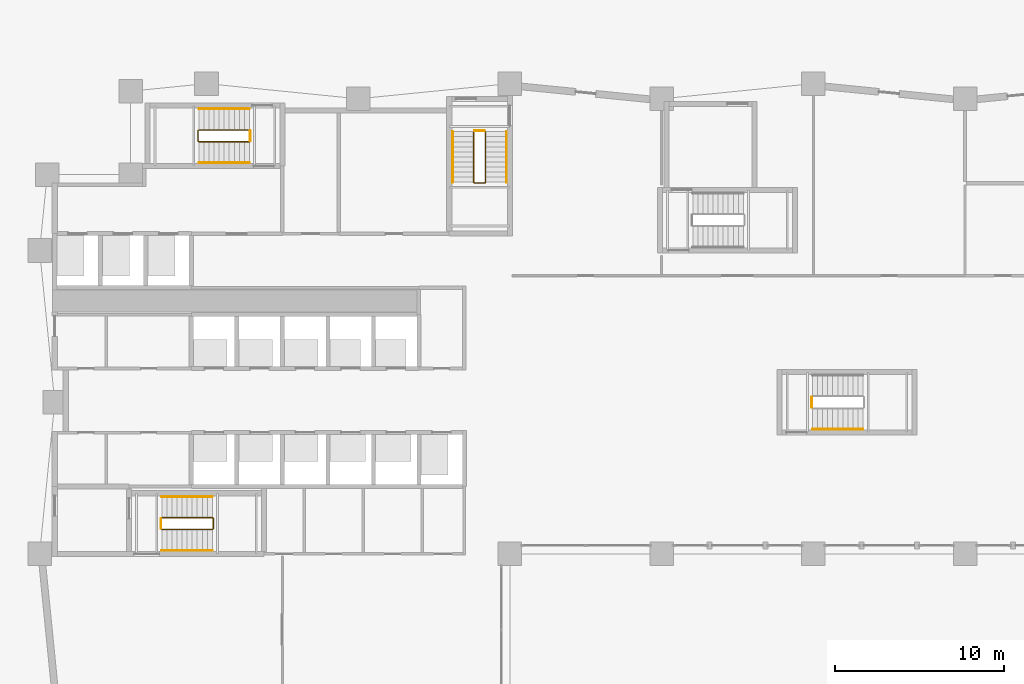
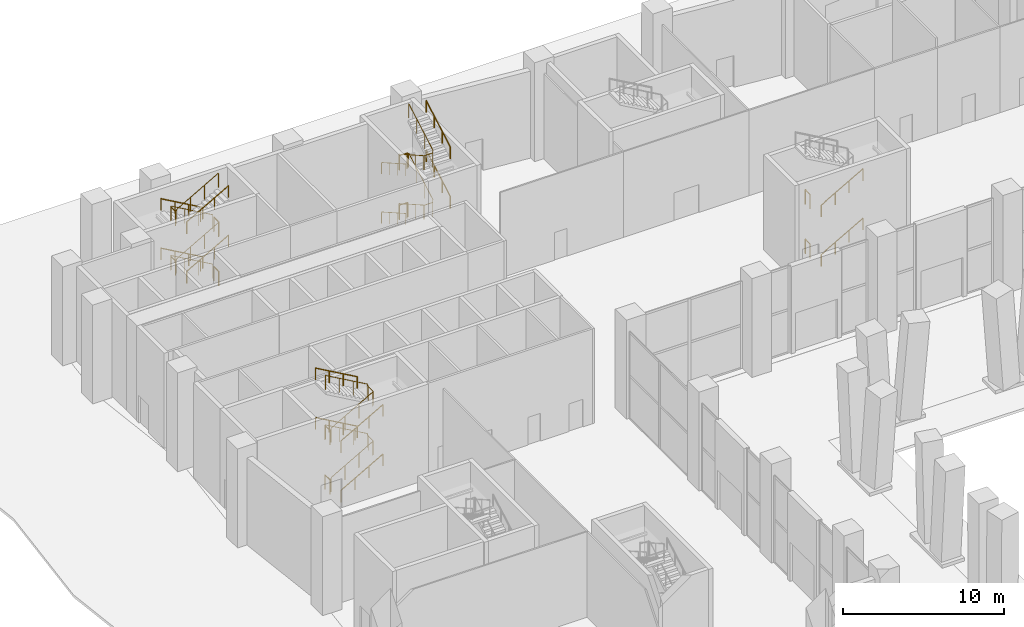
# One storey, part 14 of 16: 28 railings.
"""IFC4 building model written with IfcOpenShell, lengths in metres."""

from ifc_helpers import new_model, si_unit, direction, frame, origin, origin_2d, place, context, subcontext, project, spatial, circle, extrude, material, type_object, element, save


model = new_model("IFC4")

# Units and contexts
model_context = context("Model", 3, precision=1e-05, world=origin(), true_north=direction((0.0, 1.0)))
body_context = subcontext(model_context, "Body", "Model", "MODEL_VIEW")
ifc_project = project(units=[si_unit("LENGTHUNIT", "METRE"), si_unit("AREAUNIT", "SQUARE_METRE"), si_unit("VOLUMEUNIT", "CUBIC_METRE"), si_unit("PLANEANGLEUNIT", "RADIAN"), si_unit("MASSUNIT", "GRAM", prefix="KILO")], contexts=[model_context])

# Site, building, storey
site_placement = place(None, origin())
site = spatial("IfcSite", under=ifc_project, at=site_placement, CompositionType="ELEMENT")
building_placement = place(site_placement, origin())
building = spatial("IfcBuilding", under=site, at=building_placement, Name="Brondeck Convention Tower", CompositionType="ELEMENT")
storey_placement = place(building_placement, origin())
storey = spatial("IfcBuildingStorey", under=building, at=storey_placement, Name="L00", CompositionType="ELEMENT", Elevation=0.0)

# Railings
ifc_material = material(Name="Steel S355", Category="steel")
railing_type_1 = type_object("IfcRailingType", Name="Stair guard 1100", PredefinedType="GUARDRAIL", material=ifc_material)
railing_1_placement = place(storey_placement, frame((6.35009765625, 37.449951171875, 0.17041015625)))
element("IfcRailing", 1, at=railing_1_placement, inside=storey, type_object=railing_type_1, Name="L00 ST-1 stair guard 1", PredefinedType="GUARDRAIL", context=body_context, shape_type="SweptSolid", body=[
    extrude(circle(Radius=0.02392578125, at=origin_2d()), frame((0.0, 0.0, 1.076171875), z_axis=(0.869451031676, 0.0, 0.494019132744), x_axis=(0.0, 1.0, 0.0)), (0.0, 0.0, 1.0), 3.450439453125),
    extrude(circle(Radius=0.02392578125, at=origin_2d()), frame((3.0, 0.0, 2.78076171875), z_axis=(0.705375805398, 0.708833529934, 0.0), x_axis=(-0.708833529934, 0.705375805398, 0.0)), (0.0, 0.0, 1.0), 0.070556640625),
    extrude(circle(Radius=0.02392578125, at=origin_2d()), frame((3.0498046875, 0.050048828125, 2.78076171875), z_axis=(0.0, 1.0, 0.0), x_axis=(-1.0, 0.0, 0.0)), (0.0, 0.0, 1.0), 0.60009765625),
    extrude(circle(Radius=0.02392578125, at=origin_2d()), frame((3.0498046875, 0.650146484375, 2.78076171875), z_axis=(-0.27010131868, 0.27010131868, 0.924170198229), x_axis=(-0.707106781187, -0.707106781187, 0.0)), (0.0, 0.0, 1.0), 0.184326171875),
    extrude(circle(Radius=0.02392578125, at=origin_2d()), frame((3.0, 0.699951171875, 2.951171875), z_axis=(-0.869451031676, 0.0, 0.494019132744), x_axis=(0.0, -1.0, 0.0)), (0.0, 0.0, 1.0), 3.450439453125),
    extrude(circle(Radius=0.02099609375, at=origin_2d()), origin(), (0.0, 0.0, 1.0), 1.052001953125),
    extrude(circle(Radius=0.02099609375, at=origin_2d()), frame((1.0, 0.0, 0.568115234375)), (0.0, 0.0, 1.0), 1.052001953125),
    extrude(circle(Radius=0.02099609375, at=origin_2d()), frame((2.0, 0.0, 1.136474609375)), (0.0, 0.0, 1.0), 1.052001953125),
    extrude(circle(Radius=0.02099609375, at=origin_2d()), frame((3.0, 0.0, 1.70458984375)), (0.0, 0.0, 1.0), 1.052001953125),
    extrude(circle(Radius=0.02099609375, at=origin_2d()), frame((3.0498046875, 0.050048828125, 1.70458984375)), (0.0, 0.0, 1.0), 1.052001953125),
    extrude(circle(Radius=0.02099609375, at=origin_2d()), frame((3.0498046875, 0.650146484375, 1.70458984375)), (0.0, 0.0, 1.0), 1.052001953125),
    extrude(circle(Radius=0.02099609375, at=origin_2d()), frame((3.0, 0.699951171875, 1.875)), (0.0, 0.0, 1.0), 1.052001953125),
    extrude(circle(Radius=0.02099609375, at=origin_2d()), frame((2.0, 0.699951171875, 2.443115234375)), (0.0, 0.0, 1.0), 1.052001953125),
    extrude(circle(Radius=0.02099609375, at=origin_2d()), frame((1.0, 0.699951171875, 3.011474609375)), (0.0, 0.0, 1.0), 1.052001953125),
    extrude(circle(Radius=0.02099609375, at=origin_2d()), frame((0.0, 0.699951171875, 3.57958984375)), (0.0, 0.0, 1.0), 1.052001953125),
])
railing_2_placement = place(storey_placement, frame((6.300048828125, 37.5, 3.75)))
element("IfcRailing", 2, at=railing_2_placement, inside=storey, type_object=railing_type_1, Name="L00 ST-1 stair guard 2", PredefinedType="GUARDRAIL", context=body_context, shape_type="SweptSolid", body=[
    extrude(circle(Radius=0.02392578125, at=origin_2d()), frame((0.0, 0.0, 1.076171875), z_axis=(0.0, 1.0, 0.0), x_axis=(-1.0, 0.0, 0.0)), (0.0, 0.0, 1.0), 0.60009765625),
    extrude(circle(Radius=0.02099609375, at=origin_2d()), origin(), (0.0, 0.0, 1.0), 1.052001953125),
    extrude(circle(Radius=0.02099609375, at=origin_2d()), frame((0.0, 0.60009765625, 0.0)), (0.0, 0.0, 1.0), 1.052001953125),
])
railing_3_placement = place(storey_placement, frame((6.35009765625, 37.449951171875, 3.92041015625)))
element("IfcRailing", 3, at=railing_3_placement, inside=storey, type_object=railing_type_1, Name="L00 ST-1 stair guard 3", PredefinedType="GUARDRAIL", context=body_context, shape_type="SweptSolid", body=[
    extrude(circle(Radius=0.02392578125, at=origin_2d()), frame((0.0, 0.0, 1.076171875), z_axis=(0.869451031676, 0.0, 0.494019132744), x_axis=(0.0, 1.0, 0.0)), (0.0, 0.0, 1.0), 3.450439453125),
    extrude(circle(Radius=0.02392578125, at=origin_2d()), frame((3.0, 0.0, 2.78076171875), z_axis=(0.705375805398, 0.708833529934, 0.0), x_axis=(-0.708833529934, 0.705375805398, 0.0)), (0.0, 0.0, 1.0), 0.070556640625),
    extrude(circle(Radius=0.02392578125, at=origin_2d()), frame((3.0498046875, 0.050048828125, 2.78076171875), z_axis=(0.0, 1.0, 0.0), x_axis=(-1.0, 0.0, 0.0)), (0.0, 0.0, 1.0), 0.60009765625),
    extrude(circle(Radius=0.02392578125, at=origin_2d()), frame((3.0498046875, 0.650146484375, 2.78076171875), z_axis=(-0.27010131868, 0.27010131868, 0.924170198229), x_axis=(-0.707106781187, -0.707106781187, 0.0)), (0.0, 0.0, 1.0), 0.184326171875),
    extrude(circle(Radius=0.02392578125, at=origin_2d()), frame((3.0, 0.699951171875, 2.951171875), z_axis=(-0.869451031676, 0.0, 0.494019132744), x_axis=(0.0, -1.0, 0.0)), (0.0, 0.0, 1.0), 3.450439453125),
    extrude(circle(Radius=0.02099609375, at=origin_2d()), origin(), (0.0, 0.0, 1.0), 1.052001953125),
    extrude(circle(Radius=0.02099609375, at=origin_2d()), frame((1.0, 0.0, 0.568115234375)), (0.0, 0.0, 1.0), 1.052001953125),
    extrude(circle(Radius=0.02099609375, at=origin_2d()), frame((2.0, 0.0, 1.136474609375)), (0.0, 0.0, 1.0), 1.052001953125),
    extrude(circle(Radius=0.02099609375, at=origin_2d()), frame((3.0, 0.0, 1.70458984375)), (0.0, 0.0, 1.0), 1.052001953125),
    extrude(circle(Radius=0.02099609375, at=origin_2d()), frame((3.0498046875, 0.050048828125, 1.70458984375)), (0.0, 0.0, 1.0), 1.052001953125),
    extrude(circle(Radius=0.02099609375, at=origin_2d()), frame((3.0498046875, 0.650146484375, 1.70458984375)), (0.0, 0.0, 1.0), 1.052001953125),
    extrude(circle(Radius=0.02099609375, at=origin_2d()), frame((3.0, 0.699951171875, 1.875)), (0.0, 0.0, 1.0), 1.052001953125),
    extrude(circle(Radius=0.02099609375, at=origin_2d()), frame((2.0, 0.699951171875, 2.443115234375)), (0.0, 0.0, 1.0), 1.052001953125),
    extrude(circle(Radius=0.02099609375, at=origin_2d()), frame((1.0, 0.699951171875, 3.011474609375)), (0.0, 0.0, 1.0), 1.052001953125),
    extrude(circle(Radius=0.02099609375, at=origin_2d()), frame((0.0, 0.699951171875, 3.57958984375)), (0.0, 0.0, 1.0), 1.052001953125),
])
railing_4_placement = place(storey_placement, frame((6.300048828125, 37.5, 0.0)))
element("IfcRailing", 4, at=railing_4_placement, inside=storey, type_object=railing_type_1, Name="L00 ST-1 stair guard 4", PredefinedType="GUARDRAIL", context=body_context, shape_type="SweptSolid", body=[
    extrude(circle(Radius=0.02392578125, at=origin_2d()), frame((0.0, 0.0, 1.076171875), z_axis=(0.0, 1.0, 0.0), x_axis=(-1.0, 0.0, 0.0)), (0.0, 0.0, 1.0), 0.60009765625),
    extrude(circle(Radius=0.02099609375, at=origin_2d()), origin(), (0.0, 0.0, 1.0), 1.052001953125),
    extrude(circle(Radius=0.02099609375, at=origin_2d()), frame((0.0, 0.60009765625, 0.0)), (0.0, 0.0, 1.0), 1.052001953125),
])
railing_5_placement = place(storey_placement, frame((24.85009765625, 61.050048828125, 0.17041015625)))
element("IfcRailing", 5, at=railing_5_placement, inside=storey, type_object=railing_type_1, Name="L00 ST-2 stair guard 1", PredefinedType="GUARDRAIL", context=body_context, shape_type="SweptSolid", body=[
    extrude(circle(Radius=0.02392578125, at=origin_2d()), frame((0.0, 0.0, 1.076171875), z_axis=(0.0, -0.869451031676, 0.494019132744), x_axis=(1.0, 0.0, 0.0)), (0.0, 0.0, 1.0), 3.450439453125),
    extrude(circle(Radius=0.02392578125, at=origin_2d()), frame((0.0, -3.0, 2.78076171875), z_axis=(0.705375805398, -0.708833529934, 0.0), x_axis=(0.708833529934, 0.705375805398, 0.0)), (0.0, 0.0, 1.0), 0.070556640625),
    extrude(circle(Radius=0.02392578125, at=origin_2d()), frame((0.0498046875, -3.050048828125, 2.78076171875), z_axis=(1.0, 0.0, 0.0), x_axis=(0.0, 1.0, 0.0)), (0.0, 0.0, 1.0), 0.60009765625),
    extrude(circle(Radius=0.02392578125, at=origin_2d()), frame((0.64990234375, -3.050048828125, 2.78076171875), z_axis=(0.271230943075, 0.271230943075, 0.923508284228), x_axis=(-0.707106781187, 0.707106781187, 0.0)), (0.0, 0.0, 1.0), 0.1845703125),
    extrude(circle(Radius=0.02392578125, at=origin_2d()), frame((0.699951171875, -3.0, 2.951171875), z_axis=(0.0, 0.869451031676, 0.494019132744), x_axis=(-1.0, 0.0, 0.0)), (0.0, 0.0, 1.0), 3.450439453125),
    extrude(circle(Radius=0.02099609375, at=origin_2d()), origin(), (0.0, 0.0, 1.0), 1.052001953125),
    extrude(circle(Radius=0.02099609375, at=origin_2d()), frame((0.0, -1.0, 0.568115234375)), (0.0, 0.0, 1.0), 1.052001953125),
    extrude(circle(Radius=0.02099609375, at=origin_2d()), frame((0.0, -2.0, 1.136474609375)), (0.0, 0.0, 1.0), 1.052001953125),
    extrude(circle(Radius=0.02099609375, at=origin_2d()), frame((0.0, -3.0, 1.70458984375)), (0.0, 0.0, 1.0), 1.052001953125),
    extrude(circle(Radius=0.02099609375, at=origin_2d()), frame((0.0498046875, -3.050048828125, 1.70458984375)), (0.0, 0.0, 1.0), 1.052001953125),
    extrude(circle(Radius=0.02099609375, at=origin_2d()), frame((0.64990234375, -3.050048828125, 1.70458984375)), (0.0, 0.0, 1.0), 1.052001953125),
    extrude(circle(Radius=0.02099609375, at=origin_2d()), frame((0.699951171875, -3.0, 1.875)), (0.0, 0.0, 1.0), 1.052001953125),
    extrude(circle(Radius=0.02099609375, at=origin_2d()), frame((0.699951171875, -2.0, 2.443115234375)), (0.0, 0.0, 1.0), 1.052001953125),
    extrude(circle(Radius=0.02099609375, at=origin_2d()), frame((0.699951171875, -1.0, 3.011474609375)), (0.0, 0.0, 1.0), 1.052001953125),
    extrude(circle(Radius=0.02099609375, at=origin_2d()), frame((0.699951171875, 0.0, 3.57958984375)), (0.0, 0.0, 1.0), 1.052001953125),
])
railing_6_placement = place(storey_placement, frame((24.89990234375, 61.10009765625, 3.75)))
element("IfcRailing", 6, at=railing_6_placement, inside=storey, type_object=railing_type_1, Name="L00 ST-2 stair guard 2", PredefinedType="GUARDRAIL", context=body_context, shape_type="SweptSolid", body=[
    extrude(circle(Radius=0.02392578125, at=origin_2d()), frame((0.0, 0.0, 1.076171875), z_axis=(1.0, 0.0, 0.0), x_axis=(0.0, 1.0, 0.0)), (0.0, 0.0, 1.0), 0.60009765625),
    extrude(circle(Radius=0.02099609375, at=origin_2d()), origin(), (0.0, 0.0, 1.0), 1.052001953125),
    extrude(circle(Radius=0.02099609375, at=origin_2d()), frame((0.60009765625, 0.0, 0.0)), (0.0, 0.0, 1.0), 1.052001953125),
])
railing_7_placement = place(storey_placement, frame((24.85009765625, 61.050048828125, 3.92041015625)))
element("IfcRailing", 7, at=railing_7_placement, inside=storey, type_object=railing_type_1, Name="L00 ST-2 stair guard 3", PredefinedType="GUARDRAIL", context=body_context, shape_type="SweptSolid", body=[
    extrude(circle(Radius=0.02392578125, at=origin_2d()), frame((0.0, 0.0, 1.076171875), z_axis=(0.0, -0.869451031676, 0.494019132744), x_axis=(1.0, 0.0, 0.0)), (0.0, 0.0, 1.0), 3.450439453125),
    extrude(circle(Radius=0.02392578125, at=origin_2d()), frame((0.0, -3.0, 2.78076171875), z_axis=(0.705375805398, -0.708833529934, 0.0), x_axis=(0.708833529934, 0.705375805398, 0.0)), (0.0, 0.0, 1.0), 0.070556640625),
    extrude(circle(Radius=0.02392578125, at=origin_2d()), frame((0.0498046875, -3.050048828125, 2.78076171875), z_axis=(1.0, 0.0, 0.0), x_axis=(0.0, 1.0, 0.0)), (0.0, 0.0, 1.0), 0.60009765625),
    extrude(circle(Radius=0.02392578125, at=origin_2d()), frame((0.64990234375, -3.050048828125, 2.78076171875), z_axis=(0.271230943075, 0.271230943075, 0.923508284228), x_axis=(-0.707106781187, 0.707106781187, 0.0)), (0.0, 0.0, 1.0), 0.1845703125),
    extrude(circle(Radius=0.02392578125, at=origin_2d()), frame((0.699951171875, -3.0, 2.951171875), z_axis=(0.0, 0.869451031676, 0.494019132744), x_axis=(-1.0, 0.0, 0.0)), (0.0, 0.0, 1.0), 3.450439453125),
    extrude(circle(Radius=0.02099609375, at=origin_2d()), origin(), (0.0, 0.0, 1.0), 1.052001953125),
    extrude(circle(Radius=0.02099609375, at=origin_2d()), frame((0.0, -1.0, 0.568115234375)), (0.0, 0.0, 1.0), 1.052001953125),
    extrude(circle(Radius=0.02099609375, at=origin_2d()), frame((0.0, -2.0, 1.136474609375)), (0.0, 0.0, 1.0), 1.052001953125),
    extrude(circle(Radius=0.02099609375, at=origin_2d()), frame((0.0, -3.0, 1.70458984375)), (0.0, 0.0, 1.0), 1.052001953125),
    extrude(circle(Radius=0.02099609375, at=origin_2d()), frame((0.0498046875, -3.050048828125, 1.70458984375)), (0.0, 0.0, 1.0), 1.052001953125),
    extrude(circle(Radius=0.02099609375, at=origin_2d()), frame((0.64990234375, -3.050048828125, 1.70458984375)), (0.0, 0.0, 1.0), 1.052001953125),
    extrude(circle(Radius=0.02099609375, at=origin_2d()), frame((0.699951171875, -3.0, 1.875)), (0.0, 0.0, 1.0), 1.052001953125),
    extrude(circle(Radius=0.02099609375, at=origin_2d()), frame((0.699951171875, -2.0, 2.443115234375)), (0.0, 0.0, 1.0), 1.052001953125),
    extrude(circle(Radius=0.02099609375, at=origin_2d()), frame((0.699951171875, -1.0, 3.011474609375)), (0.0, 0.0, 1.0), 1.052001953125),
    extrude(circle(Radius=0.02099609375, at=origin_2d()), frame((0.699951171875, 0.0, 3.57958984375)), (0.0, 0.0, 1.0), 1.052001953125),
])
railing_8_placement = place(storey_placement, frame((24.89990234375, 61.10009765625, 0.0)))
element("IfcRailing", 8, at=railing_8_placement, inside=storey, type_object=railing_type_1, Name="L00 ST-2 stair guard 4", PredefinedType="GUARDRAIL", context=body_context, shape_type="SweptSolid", body=[
    extrude(circle(Radius=0.02392578125, at=origin_2d()), frame((0.0, 0.0, 1.076171875), z_axis=(1.0, 0.0, 0.0), x_axis=(0.0, 1.0, 0.0)), (0.0, 0.0, 1.0), 0.60009765625),
    extrude(circle(Radius=0.02099609375, at=origin_2d()), origin(), (0.0, 0.0, 1.0), 1.052001953125),
    extrude(circle(Radius=0.02099609375, at=origin_2d()), frame((0.60009765625, 0.0, 0.0)), (0.0, 0.0, 1.0), 1.052001953125),
])
railing_9_placement = place(storey_placement, frame((11.550048828125, 61.14990234375, 0.17041015625)))
element("IfcRailing", 9, at=railing_9_placement, inside=storey, type_object=railing_type_1, Name="L00 ST-3 stair guard 1", PredefinedType="GUARDRAIL", context=body_context, shape_type="SweptSolid", body=[
    extrude(circle(Radius=0.02392578125, at=origin_2d()), frame((0.0, 0.0, 1.076171875), z_axis=(-0.869451031676, 0.0, 0.494019132744), x_axis=(0.0, -1.0, 0.0)), (0.0, 0.0, 1.0), 3.450439453125),
    extrude(circle(Radius=0.02392578125, at=origin_2d()), frame((-3.0, 0.0, 2.78076171875), z_axis=(-0.708833529934, -0.705375805398, 0.0), x_axis=(0.705375805398, -0.708833529934, 0.0)), (0.0, 0.0, 1.0), 0.070556640625),
    extrude(circle(Radius=0.02392578125, at=origin_2d()), frame((-3.050048828125, -0.0498046875, 2.78076171875), z_axis=(0.0, -1.0, 0.0), x_axis=(1.0, 0.0, 0.0)), (0.0, 0.0, 1.0), 0.60009765625),
    extrude(circle(Radius=0.02392578125, at=origin_2d()), frame((-3.050048828125, -0.64990234375, 2.78076171875), z_axis=(0.271230943075, -0.271230943075, 0.923508284228), x_axis=(0.707106781187, 0.707106781187, 0.0)), (0.0, 0.0, 1.0), 0.1845703125),
    extrude(circle(Radius=0.02392578125, at=origin_2d()), frame((-3.0, -0.699951171875, 2.951171875), z_axis=(0.869451031676, 0.0, 0.494019132744), x_axis=(0.0, 1.0, 0.0)), (0.0, 0.0, 1.0), 3.450439453125),
    extrude(circle(Radius=0.02099609375, at=origin_2d()), origin(), (0.0, 0.0, 1.0), 1.052001953125),
    extrude(circle(Radius=0.02099609375, at=origin_2d()), frame((-1.0, 0.0, 0.568115234375)), (0.0, 0.0, 1.0), 1.052001953125),
    extrude(circle(Radius=0.02099609375, at=origin_2d()), frame((-2.0, 0.0, 1.136474609375)), (0.0, 0.0, 1.0), 1.052001953125),
    extrude(circle(Radius=0.02099609375, at=origin_2d()), frame((-3.0, 0.0, 1.70458984375)), (0.0, 0.0, 1.0), 1.052001953125),
    extrude(circle(Radius=0.02099609375, at=origin_2d()), frame((-3.050048828125, -0.0498046875, 1.70458984375)), (0.0, 0.0, 1.0), 1.052001953125),
    extrude(circle(Radius=0.02099609375, at=origin_2d()), frame((-3.050048828125, -0.64990234375, 1.70458984375)), (0.0, 0.0, 1.0), 1.052001953125),
    extrude(circle(Radius=0.02099609375, at=origin_2d()), frame((-3.0, -0.699951171875, 1.875)), (0.0, 0.0, 1.0), 1.052001953125),
    extrude(circle(Radius=0.02099609375, at=origin_2d()), frame((-2.0, -0.699951171875, 2.443115234375)), (0.0, 0.0, 1.0), 1.052001953125),
    extrude(circle(Radius=0.02099609375, at=origin_2d()), frame((-1.0, -0.699951171875, 3.011474609375)), (0.0, 0.0, 1.0), 1.052001953125),
    extrude(circle(Radius=0.02099609375, at=origin_2d()), frame((0.0, -0.699951171875, 3.57958984375)), (0.0, 0.0, 1.0), 1.052001953125),
])
railing_10_placement = place(storey_placement, frame((11.60009765625, 61.10009765625, 3.75)))
element("IfcRailing", 10, at=railing_10_placement, inside=storey, type_object=railing_type_1, Name="L00 ST-3 stair guard 2", PredefinedType="GUARDRAIL", context=body_context, shape_type="SweptSolid", body=[
    extrude(circle(Radius=0.02392578125, at=origin_2d()), frame((0.0, 0.0, 1.076171875), z_axis=(0.0, -1.0, 0.0), x_axis=(1.0, 0.0, 0.0)), (0.0, 0.0, 1.0), 0.60009765625),
    extrude(circle(Radius=0.02099609375, at=origin_2d()), origin(), (0.0, 0.0, 1.0), 1.052001953125),
    extrude(circle(Radius=0.02099609375, at=origin_2d()), frame((0.0, -0.60009765625, 0.0)), (0.0, 0.0, 1.0), 1.052001953125),
])
railing_11_placement = place(storey_placement, frame((11.550048828125, 61.14990234375, 3.92041015625)))
element("IfcRailing", 11, at=railing_11_placement, inside=storey, type_object=railing_type_1, Name="L00 ST-3 stair guard 3", PredefinedType="GUARDRAIL", context=body_context, shape_type="SweptSolid", body=[
    extrude(circle(Radius=0.02392578125, at=origin_2d()), frame((0.0, 0.0, 1.076171875), z_axis=(-0.869451031676, 0.0, 0.494019132744), x_axis=(0.0, -1.0, 0.0)), (0.0, 0.0, 1.0), 3.450439453125),
    extrude(circle(Radius=0.02392578125, at=origin_2d()), frame((-3.0, 0.0, 2.78076171875), z_axis=(-0.708833529934, -0.705375805398, 0.0), x_axis=(0.705375805398, -0.708833529934, 0.0)), (0.0, 0.0, 1.0), 0.070556640625),
    extrude(circle(Radius=0.02392578125, at=origin_2d()), frame((-3.050048828125, -0.0498046875, 2.78076171875), z_axis=(0.0, -1.0, 0.0), x_axis=(1.0, 0.0, 0.0)), (0.0, 0.0, 1.0), 0.60009765625),
    extrude(circle(Radius=0.02392578125, at=origin_2d()), frame((-3.050048828125, -0.64990234375, 2.78076171875), z_axis=(0.271230943075, -0.271230943075, 0.923508284228), x_axis=(0.707106781187, 0.707106781187, 0.0)), (0.0, 0.0, 1.0), 0.1845703125),
    extrude(circle(Radius=0.02392578125, at=origin_2d()), frame((-3.0, -0.699951171875, 2.951171875), z_axis=(0.869451031676, 0.0, 0.494019132744), x_axis=(0.0, 1.0, 0.0)), (0.0, 0.0, 1.0), 3.450439453125),
    extrude(circle(Radius=0.02099609375, at=origin_2d()), origin(), (0.0, 0.0, 1.0), 1.052001953125),
    extrude(circle(Radius=0.02099609375, at=origin_2d()), frame((-1.0, 0.0, 0.568115234375)), (0.0, 0.0, 1.0), 1.052001953125),
    extrude(circle(Radius=0.02099609375, at=origin_2d()), frame((-2.0, 0.0, 1.136474609375)), (0.0, 0.0, 1.0), 1.052001953125),
    extrude(circle(Radius=0.02099609375, at=origin_2d()), frame((-3.0, 0.0, 1.70458984375)), (0.0, 0.0, 1.0), 1.052001953125),
    extrude(circle(Radius=0.02099609375, at=origin_2d()), frame((-3.050048828125, -0.0498046875, 1.70458984375)), (0.0, 0.0, 1.0), 1.052001953125),
    extrude(circle(Radius=0.02099609375, at=origin_2d()), frame((-3.050048828125, -0.64990234375, 1.70458984375)), (0.0, 0.0, 1.0), 1.052001953125),
    extrude(circle(Radius=0.02099609375, at=origin_2d()), frame((-3.0, -0.699951171875, 1.875)), (0.0, 0.0, 1.0), 1.052001953125),
    extrude(circle(Radius=0.02099609375, at=origin_2d()), frame((-2.0, -0.699951171875, 2.443115234375)), (0.0, 0.0, 1.0), 1.052001953125),
    extrude(circle(Radius=0.02099609375, at=origin_2d()), frame((-1.0, -0.699951171875, 3.011474609375)), (0.0, 0.0, 1.0), 1.052001953125),
    extrude(circle(Radius=0.02099609375, at=origin_2d()), frame((0.0, -0.699951171875, 3.57958984375)), (0.0, 0.0, 1.0), 1.052001953125),
])
railing_12_placement = place(storey_placement, frame((11.60009765625, 61.10009765625, 0.0)))
element("IfcRailing", 12, at=railing_12_placement, inside=storey, type_object=railing_type_1, Name="L00 ST-3 stair guard 4", PredefinedType="GUARDRAIL", context=body_context, shape_type="SweptSolid", body=[
    extrude(circle(Radius=0.02392578125, at=origin_2d()), frame((0.0, 0.0, 1.076171875), z_axis=(0.0, -1.0, 0.0), x_axis=(1.0, 0.0, 0.0)), (0.0, 0.0, 1.0), 0.60009765625),
    extrude(circle(Radius=0.02099609375, at=origin_2d()), origin(), (0.0, 0.0, 1.0), 1.052001953125),
    extrude(circle(Radius=0.02099609375, at=origin_2d()), frame((0.0, -0.60009765625, 0.0)), (0.0, 0.0, 1.0), 1.052001953125),
])
for number, where, name in (
    (13, (44.89990234375, 44.699951171875, 3.75), "L00 ST-AF stair guard 2"),
    (14, (44.89990234375, 44.699951171875, 0.0), "L00 ST-AF stair guard 4"),
):
    element("IfcRailing", number, at=place(storey_placement, frame(where)), inside=storey, type_object=railing_type_1, Name=name, PredefinedType="GUARDRAIL", context=body_context, shape_type="SweptSolid", body=[
        extrude(circle(Radius=0.02392578125, at=origin_2d()), frame((0.0, 0.0, 1.076171875), z_axis=(0.0, 1.0, 0.0), x_axis=(-1.0, 0.0, 0.0)), (0.0, 0.0, 1.0), 0.60009765625),
        extrude(circle(Radius=0.02099609375, at=origin_2d()), origin(), (0.0, 0.0, 1.0), 1.052001953125),
        extrude(circle(Radius=0.02099609375, at=origin_2d()), frame((0.0, 0.60009765625, 0.0)), (0.0, 0.0, 1.0), 1.052001953125),
    ])
railing_type_2 = type_object("IfcRailingType", Name="Stair handrail", PredefinedType="HANDRAIL", material=ifc_material)
railing_13_placement = place(storey_placement, frame((6.35009765625, 36.199951171875, 0.17041015625)))
element("IfcRailing", 15, at=railing_13_placement, inside=storey, type_object=railing_type_2, Name="L00 ST-1 stair handrail 1", PredefinedType="HANDRAIL", context=body_context, shape_type="SweptSolid", body=[
    extrude(circle(Radius=0.02392578125, at=origin_2d()), frame((0.0, 0.0, 0.8759765625), z_axis=(0.869451031676, 0.0, 0.494019132744), x_axis=(0.0, 1.0, 0.0)), (0.0, 0.0, 1.0), 3.450439453125),
    extrude(circle(Radius=0.02099609375, at=origin_2d()), origin(), (0.0, 0.0, 1.0), 0.851806640625),
    extrude(circle(Radius=0.02099609375, at=origin_2d()), frame((1.0, 0.0, 0.568115234375)), (0.0, 0.0, 1.0), 0.851806640625),
    extrude(circle(Radius=0.02099609375, at=origin_2d()), frame((2.0, 0.0, 1.136474609375)), (0.0, 0.0, 1.0), 0.851806640625),
    extrude(circle(Radius=0.02099609375, at=origin_2d()), frame((3.0, 0.0, 1.70458984375)), (0.0, 0.0, 1.0), 0.851806640625),
])
railing_14_placement = place(storey_placement, frame((9.35009765625, 39.39990234375, 2.04541015625)))
element("IfcRailing", 16, at=railing_14_placement, inside=storey, type_object=railing_type_2, Name="L00 ST-1 stair handrail 2", PredefinedType="HANDRAIL", context=body_context, shape_type="SweptSolid", body=[
    extrude(circle(Radius=0.02392578125, at=origin_2d()), frame((0.0, 0.0, 0.8759765625), z_axis=(-0.869451031676, 0.0, 0.494019132744), x_axis=(0.0, -1.0, 0.0)), (0.0, 0.0, 1.0), 3.450439453125),
    extrude(circle(Radius=0.02099609375, at=origin_2d()), origin(), (0.0, 0.0, 1.0), 0.851806640625),
    extrude(circle(Radius=0.02099609375, at=origin_2d()), frame((-1.0, 0.0, 0.568115234375)), (0.0, 0.0, 1.0), 0.851806640625),
    extrude(circle(Radius=0.02099609375, at=origin_2d()), frame((-2.0, 0.0, 1.136474609375)), (0.0, 0.0, 1.0), 0.851806640625),
    extrude(circle(Radius=0.02099609375, at=origin_2d()), frame((-3.0, 0.0, 1.70458984375)), (0.0, 0.0, 1.0), 0.851806640625),
])
railing_15_placement = place(storey_placement, frame((6.35009765625, 36.199951171875, 3.92041015625)))
element("IfcRailing", 17, at=railing_15_placement, inside=storey, type_object=railing_type_2, Name="L00 ST-1 stair handrail 3", PredefinedType="HANDRAIL", context=body_context, shape_type="SweptSolid", body=[
    extrude(circle(Radius=0.02392578125, at=origin_2d()), frame((0.0, 0.0, 0.8759765625), z_axis=(0.869451031676, 0.0, 0.494019132744), x_axis=(0.0, 1.0, 0.0)), (0.0, 0.0, 1.0), 3.450439453125),
    extrude(circle(Radius=0.02099609375, at=origin_2d()), origin(), (0.0, 0.0, 1.0), 0.851806640625),
    extrude(circle(Radius=0.02099609375, at=origin_2d()), frame((1.0, 0.0, 0.568115234375)), (0.0, 0.0, 1.0), 0.851806640625),
    extrude(circle(Radius=0.02099609375, at=origin_2d()), frame((2.0, 0.0, 1.136474609375)), (0.0, 0.0, 1.0), 0.851806640625),
    extrude(circle(Radius=0.02099609375, at=origin_2d()), frame((3.0, 0.0, 1.70458984375)), (0.0, 0.0, 1.0), 0.851806640625),
])
railing_16_placement = place(storey_placement, frame((9.35009765625, 39.39990234375, 5.79541015625)))
element("IfcRailing", 18, at=railing_16_placement, inside=storey, type_object=railing_type_2, Name="L00 ST-1 stair handrail 4", PredefinedType="HANDRAIL", context=body_context, shape_type="SweptSolid", body=[
    extrude(circle(Radius=0.02392578125, at=origin_2d()), frame((0.0, 0.0, 0.8759765625), z_axis=(-0.869451031676, 0.0, 0.494019132744), x_axis=(0.0, -1.0, 0.0)), (0.0, 0.0, 1.0), 3.450439453125),
    extrude(circle(Radius=0.02099609375, at=origin_2d()), origin(), (0.0, 0.0, 1.0), 0.851806640625),
    extrude(circle(Radius=0.02099609375, at=origin_2d()), frame((-1.0, 0.0, 0.568115234375)), (0.0, 0.0, 1.0), 0.851806640625),
    extrude(circle(Radius=0.02099609375, at=origin_2d()), frame((-2.0, 0.0, 1.136474609375)), (0.0, 0.0, 1.0), 0.851806640625),
    extrude(circle(Radius=0.02099609375, at=origin_2d()), frame((-3.0, 0.0, 1.70458984375)), (0.0, 0.0, 1.0), 0.851806640625),
])
railing_17_placement = place(storey_placement, frame((23.60009765625, 61.050048828125, 0.17041015625)))
element("IfcRailing", 19, at=railing_17_placement, inside=storey, type_object=railing_type_2, Name="L00 ST-2 stair handrail 1", PredefinedType="HANDRAIL", context=body_context, shape_type="SweptSolid", body=[
    extrude(circle(Radius=0.02392578125, at=origin_2d()), frame((0.0, 0.0, 0.8759765625), z_axis=(0.0, -0.869451031676, 0.494019132744), x_axis=(1.0, 0.0, 0.0)), (0.0, 0.0, 1.0), 3.450439453125),
    extrude(circle(Radius=0.02099609375, at=origin_2d()), origin(), (0.0, 0.0, 1.0), 0.851806640625),
    extrude(circle(Radius=0.02099609375, at=origin_2d()), frame((0.0, -1.0, 0.568115234375)), (0.0, 0.0, 1.0), 0.851806640625),
    extrude(circle(Radius=0.02099609375, at=origin_2d()), frame((0.0, -2.0, 1.136474609375)), (0.0, 0.0, 1.0), 0.851806640625),
    extrude(circle(Radius=0.02099609375, at=origin_2d()), frame((0.0, -3.0, 1.70458984375)), (0.0, 0.0, 1.0), 0.851806640625),
])
railing_18_placement = place(storey_placement, frame((26.800048828125, 58.050048828125, 2.04541015625)))
element("IfcRailing", 20, at=railing_18_placement, inside=storey, type_object=railing_type_2, Name="L00 ST-2 stair handrail 2", PredefinedType="HANDRAIL", context=body_context, shape_type="SweptSolid", body=[
    extrude(circle(Radius=0.02392578125, at=origin_2d()), frame((0.0, 0.0, 0.8759765625), z_axis=(0.0, 0.869451031676, 0.494019132744), x_axis=(-1.0, 0.0, 0.0)), (0.0, 0.0, 1.0), 3.450439453125),
    extrude(circle(Radius=0.02099609375, at=origin_2d()), origin(), (0.0, 0.0, 1.0), 0.851806640625),
    extrude(circle(Radius=0.02099609375, at=origin_2d()), frame((0.0, 1.0, 0.568115234375)), (0.0, 0.0, 1.0), 0.851806640625),
    extrude(circle(Radius=0.02099609375, at=origin_2d()), frame((0.0, 2.0, 1.136474609375)), (0.0, 0.0, 1.0), 0.851806640625),
    extrude(circle(Radius=0.02099609375, at=origin_2d()), frame((0.0, 3.0, 1.70458984375)), (0.0, 0.0, 1.0), 0.851806640625),
])
railing_19_placement = place(storey_placement, frame((23.60009765625, 61.050048828125, 3.92041015625)))
element("IfcRailing", 21, at=railing_19_placement, inside=storey, type_object=railing_type_2, Name="L00 ST-2 stair handrail 3", PredefinedType="HANDRAIL", context=body_context, shape_type="SweptSolid", body=[
    extrude(circle(Radius=0.02392578125, at=origin_2d()), frame((0.0, 0.0, 0.8759765625), z_axis=(0.0, -0.869451031676, 0.494019132744), x_axis=(1.0, 0.0, 0.0)), (0.0, 0.0, 1.0), 3.450439453125),
    extrude(circle(Radius=0.02099609375, at=origin_2d()), origin(), (0.0, 0.0, 1.0), 0.851806640625),
    extrude(circle(Radius=0.02099609375, at=origin_2d()), frame((0.0, -1.0, 0.568115234375)), (0.0, 0.0, 1.0), 0.851806640625),
    extrude(circle(Radius=0.02099609375, at=origin_2d()), frame((0.0, -2.0, 1.136474609375)), (0.0, 0.0, 1.0), 0.851806640625),
    extrude(circle(Radius=0.02099609375, at=origin_2d()), frame((0.0, -3.0, 1.70458984375)), (0.0, 0.0, 1.0), 0.851806640625),
])
railing_20_placement = place(storey_placement, frame((26.800048828125, 58.050048828125, 5.79541015625)))
element("IfcRailing", 22, at=railing_20_placement, inside=storey, type_object=railing_type_2, Name="L00 ST-2 stair handrail 4", PredefinedType="HANDRAIL", context=body_context, shape_type="SweptSolid", body=[
    extrude(circle(Radius=0.02392578125, at=origin_2d()), frame((0.0, 0.0, 0.8759765625), z_axis=(0.0, 0.869451031676, 0.494019132744), x_axis=(-1.0, 0.0, 0.0)), (0.0, 0.0, 1.0), 3.450439453125),
    extrude(circle(Radius=0.02099609375, at=origin_2d()), origin(), (0.0, 0.0, 1.0), 0.851806640625),
    extrude(circle(Radius=0.02099609375, at=origin_2d()), frame((0.0, 1.0, 0.568115234375)), (0.0, 0.0, 1.0), 0.851806640625),
    extrude(circle(Radius=0.02099609375, at=origin_2d()), frame((0.0, 2.0, 1.136474609375)), (0.0, 0.0, 1.0), 0.851806640625),
    extrude(circle(Radius=0.02099609375, at=origin_2d()), frame((0.0, 3.0, 1.70458984375)), (0.0, 0.0, 1.0), 0.851806640625),
])
railing_21_placement = place(storey_placement, frame((11.550048828125, 62.39990234375, 0.17041015625)))
element("IfcRailing", 23, at=railing_21_placement, inside=storey, type_object=railing_type_2, Name="L00 ST-3 stair handrail 1", PredefinedType="HANDRAIL", context=body_context, shape_type="SweptSolid", body=[
    extrude(circle(Radius=0.02392578125, at=origin_2d()), frame((0.0, 0.0, 0.8759765625), z_axis=(-0.869451031676, 0.0, 0.494019132744), x_axis=(0.0, -1.0, 0.0)), (0.0, 0.0, 1.0), 3.450439453125),
    extrude(circle(Radius=0.02099609375, at=origin_2d()), origin(), (0.0, 0.0, 1.0), 0.851806640625),
    extrude(circle(Radius=0.02099609375, at=origin_2d()), frame((-1.0, 0.0, 0.568115234375)), (0.0, 0.0, 1.0), 0.851806640625),
    extrude(circle(Radius=0.02099609375, at=origin_2d()), frame((-2.0, 0.0, 1.136474609375)), (0.0, 0.0, 1.0), 0.851806640625),
    extrude(circle(Radius=0.02099609375, at=origin_2d()), frame((-3.0, 0.0, 1.70458984375)), (0.0, 0.0, 1.0), 0.851806640625),
])
railing_22_placement = place(storey_placement, frame((8.550048828125, 59.199951171875, 2.04541015625)))
element("IfcRailing", 24, at=railing_22_placement, inside=storey, type_object=railing_type_2, Name="L00 ST-3 stair handrail 2", PredefinedType="HANDRAIL", context=body_context, shape_type="SweptSolid", body=[
    extrude(circle(Radius=0.02392578125, at=origin_2d()), frame((0.0, 0.0, 0.8759765625), z_axis=(0.869451031676, 0.0, 0.494019132744), x_axis=(0.0, 1.0, 0.0)), (0.0, 0.0, 1.0), 3.450439453125),
    extrude(circle(Radius=0.02099609375, at=origin_2d()), origin(), (0.0, 0.0, 1.0), 0.851806640625),
    extrude(circle(Radius=0.02099609375, at=origin_2d()), frame((1.0, 0.0, 0.568115234375)), (0.0, 0.0, 1.0), 0.851806640625),
    extrude(circle(Radius=0.02099609375, at=origin_2d()), frame((2.0, 0.0, 1.136474609375)), (0.0, 0.0, 1.0), 0.851806640625),
    extrude(circle(Radius=0.02099609375, at=origin_2d()), frame((3.0, 0.0, 1.70458984375)), (0.0, 0.0, 1.0), 0.851806640625),
])
railing_23_placement = place(storey_placement, frame((11.550048828125, 62.39990234375, 3.92041015625)))
element("IfcRailing", 25, at=railing_23_placement, inside=storey, type_object=railing_type_2, Name="L00 ST-3 stair handrail 3", PredefinedType="HANDRAIL", context=body_context, shape_type="SweptSolid", body=[
    extrude(circle(Radius=0.02392578125, at=origin_2d()), frame((0.0, 0.0, 0.8759765625), z_axis=(-0.869451031676, 0.0, 0.494019132744), x_axis=(0.0, -1.0, 0.0)), (0.0, 0.0, 1.0), 3.450439453125),
    extrude(circle(Radius=0.02099609375, at=origin_2d()), origin(), (0.0, 0.0, 1.0), 0.851806640625),
    extrude(circle(Radius=0.02099609375, at=origin_2d()), frame((-1.0, 0.0, 0.568115234375)), (0.0, 0.0, 1.0), 0.851806640625),
    extrude(circle(Radius=0.02099609375, at=origin_2d()), frame((-2.0, 0.0, 1.136474609375)), (0.0, 0.0, 1.0), 0.851806640625),
    extrude(circle(Radius=0.02099609375, at=origin_2d()), frame((-3.0, 0.0, 1.70458984375)), (0.0, 0.0, 1.0), 0.851806640625),
])
for number, where, name in (
    (26, (8.550048828125, 59.199951171875, 5.79541015625), "L00 ST-3 stair handrail 4"),
    (27, (44.949951171875, 43.39990234375, 0.17041015625), "L00 ST-AF stair handrail 1"),
    (28, (44.949951171875, 43.39990234375, 3.92041015625), "L00 ST-AF stair handrail 3"),
):
    element("IfcRailing", number, at=place(storey_placement, frame(where)), inside=storey, type_object=railing_type_2, Name=name, PredefinedType="HANDRAIL", context=body_context, shape_type="SweptSolid", body=[
        extrude(circle(Radius=0.02392578125, at=origin_2d()), frame((0.0, 0.0, 0.8759765625), z_axis=(0.869451031676, 0.0, 0.494019132744), x_axis=(0.0, 1.0, 0.0)), (0.0, 0.0, 1.0), 3.450439453125),
        extrude(circle(Radius=0.02099609375, at=origin_2d()), origin(), (0.0, 0.0, 1.0), 0.851806640625),
        extrude(circle(Radius=0.02099609375, at=origin_2d()), frame((1.0, 0.0, 0.568115234375)), (0.0, 0.0, 1.0), 0.851806640625),
        extrude(circle(Radius=0.02099609375, at=origin_2d()), frame((2.0, 0.0, 1.136474609375)), (0.0, 0.0, 1.0), 0.851806640625),
        extrude(circle(Radius=0.02099609375, at=origin_2d()), frame((3.0, 0.0, 1.70458984375)), (0.0, 0.0, 1.0), 0.851806640625),
    ])

save(model, "model.ifc")
